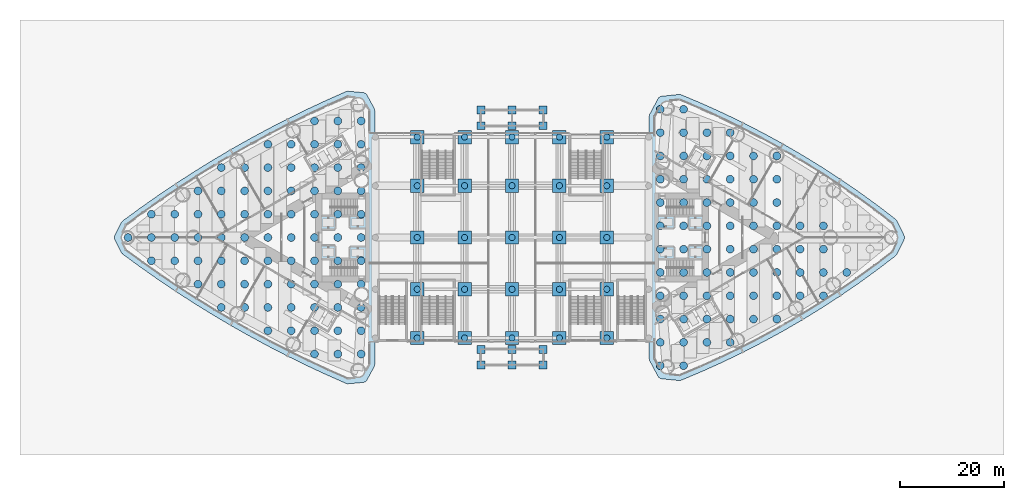
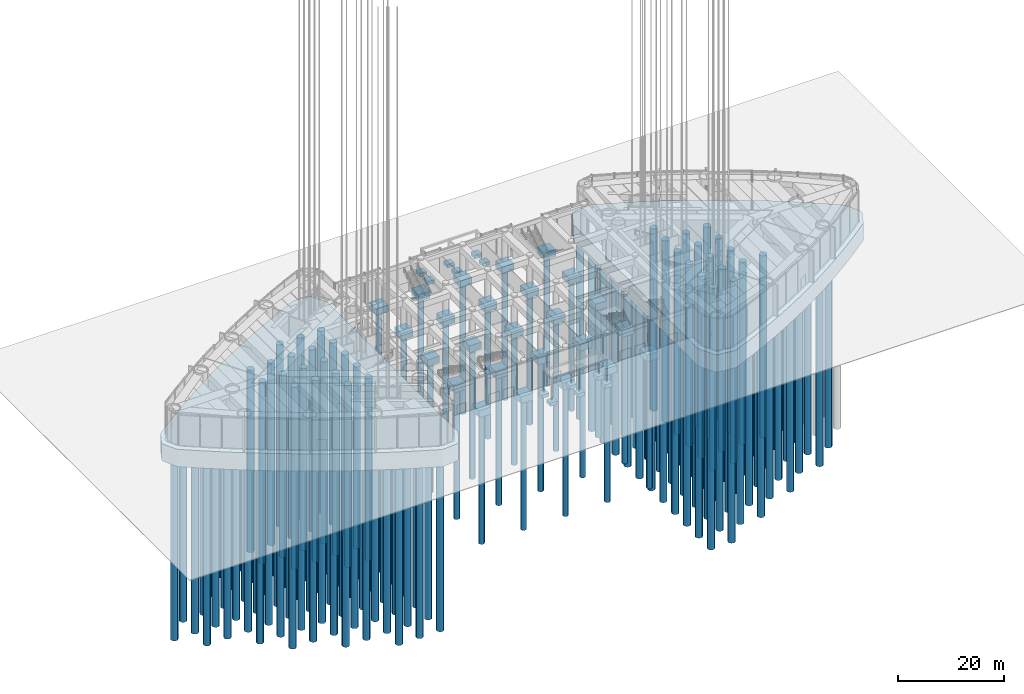
# One storey, part 1 of 43: 171 piles, 39 footings.
"""IFC4 building model written with IfcOpenShell, lengths in metres."""

from ifc_helpers import new_model, si_unit, direction, frame, origin, origin_2d, place, context, subcontext, project, spatial, polyline, rectangle, circle, outline, extrude, material, layer, layer_set, material_profile, profile_set, type_object, element, save


model = new_model("IFC4")

# Units and contexts
model_context = context("Model", 3, precision=1e-05, world=origin(), true_north=direction((0.0, 1.0)))
body_context = subcontext(model_context, "Body", "Model", "MODEL_VIEW")
ifc_project = project(units=[si_unit("LENGTHUNIT", "METRE"), si_unit("AREAUNIT", "SQUARE_METRE"), si_unit("VOLUMEUNIT", "CUBIC_METRE"), si_unit("PLANEANGLEUNIT", "RADIAN"), si_unit("MASSUNIT", "GRAM", prefix="KILO")], contexts=[model_context])

# Site, building, storey
site_placement = place(None, origin())
site = spatial("IfcSite", under=ifc_project, at=site_placement, CompositionType="ELEMENT")
building_placement = place(site_placement, origin())
building = spatial("IfcBuilding", under=site, at=building_placement, Name="Lancet Gate Hotel", CompositionType="ELEMENT")
storey_placement = place(building_placement, origin())
storey = spatial("IfcBuildingStorey", under=building, at=storey_placement, Name="L00", CompositionType="ELEMENT", Elevation=0.0)

# Piles
ifc_material_1 = material(Name="Concrete C40/50", Category="concrete")
ifc_material_profile_1 = material_profile(ifc_material_1, circle(Radius=0.60009765625, at=origin_2d()), Name="PILE D1200")
ifc_profile_set_1 = profile_set([ifc_material_profile_1], Name="Concrete C40/50")
pile_type_1 = type_object("IfcPileType", Name="Bored pile D1200", PredefinedType="BORED", material=ifc_profile_set_1)
for number, where, z_axis, x_axis, name in (
    (1, (-18.300048828125, -19.39990234375, -1.85009765625), (0.0, 0.0, -1.0), (1.0, 0.0, 0.0), "Podium pile 2A"),
    (2, (-18.300048828125, -10.0, -1.85009765625), (0.0, 0.0, -1.0), (1.0, 0.0, 0.0), "Podium pile 2B"),
    (3, (-18.300048828125, 0.0, -1.85009765625), (0.0, 0.0, -1.0), (1.0, 0.0, 0.0), "Podium pile 2C"),
    (4, (-18.300048828125, 10.0, -1.85009765625), (0.0, 0.0, -1.0), (1.0, 0.0, 0.0), "Podium pile 2D"),
    (5, (-18.300048828125, 19.39990234375, -1.85009765625), (0.0, 0.0, -1.0), (1.0, 0.0, 0.0), "Podium pile 2E"),
    (6, (-9.14990234375, -19.39990234375, -1.85009765625), (0.0, 0.0, -1.0), (1.0, 0.0, 0.0), "Podium pile 3A"),
    (7, (-9.14990234375, -10.0, -1.85009765625), (0.0, 0.0, -1.0), (1.0, 0.0, 0.0), "Podium pile 3B"),
    (8, (-9.14990234375, 0.0, -1.85009765625), (0.0, 0.0, -1.0), (1.0, 0.0, 0.0), "Podium pile 3C"),
    (9, (-9.14990234375, 10.0, -1.85009765625), (0.0, 0.0, -1.0), (1.0, 0.0, 0.0), "Podium pile 3D"),
    (10, (-9.14990234375, 19.39990234375, -1.85009765625), (0.0, 0.0, -1.0), (1.0, 0.0, 0.0), "Podium pile 3E"),
    (11, (0.0, -19.39990234375, -1.85009765625), (0.0, 0.0, -1.0), (1.0, 0.0, 0.0), "Podium pile 4A"),
    (12, (0.0, -10.0, -1.85009765625), (0.0, 0.0, -1.0), (1.0, 0.0, 0.0), "Podium pile 4B"),
    (13, (0.0, 0.0, -1.85009765625), (0.0, 0.0, -1.0), (1.0, 0.0, 0.0), "Podium pile 4C"),
    (14, (0.0, 10.0, -1.85009765625), (0.0, 0.0, -1.0), (1.0, 0.0, 0.0), "Podium pile 4D"),
    (15, (0.0, 19.39990234375, -1.85009765625), (0.0, 0.0, -1.0), (1.0, 0.0, 0.0), "Podium pile 4E"),
    (16, (9.14990234375, -19.39990234375, -1.85009765625), (0.0, 0.0, -1.0), (1.0, 0.0, 0.0), "Podium pile 5A"),
    (17, (9.14990234375, -10.0, -1.85009765625), (0.0, 0.0, -1.0), (1.0, 0.0, 0.0), "Podium pile 5B"),
    (18, (9.14990234375, 0.0, -1.85009765625), (0.0, 0.0, -1.0), (1.0, 0.0, 0.0), "Podium pile 5C"),
    (19, (9.14990234375, 10.0, -1.85009765625), (0.0, 0.0, -1.0), (1.0, 0.0, 0.0), "Podium pile 5D"),
    (20, (9.14990234375, 19.39990234375, -1.85009765625), (0.0, 0.0, -1.0), (1.0, 0.0, 0.0), "Podium pile 5E"),
    (21, (18.300048828125, -19.39990234375, -1.85009765625), (0.0, 0.0, -1.0), (1.0, 0.0, 0.0), "Podium pile 6A"),
    (22, (18.300048828125, -10.0, -1.85009765625), (0.0, 0.0, -1.0), (1.0, 0.0, 0.0), "Podium pile 6B"),
    (23, (18.300048828125, 0.0, -1.85009765625), (0.0, 0.0, -1.0), (1.0, 0.0, 0.0), "Podium pile 6C"),
    (24, (18.300048828125, 10.0, -1.85009765625), (0.0, 0.0, -1.0), (1.0, 0.0, 0.0), "Podium pile 6D"),
    (25, (18.300048828125, 19.39990234375, -1.85009765625), (0.0, 0.0, -1.0), (1.0, 0.0, 0.0), "Podium pile 6E"),
):
    element("IfcPile", number, at=place(storey_placement, frame(where, z_axis=z_axis, x_axis=x_axis)), inside=storey, type_object=pile_type_1, Name=name, PredefinedType="BORED", context=body_context, shape_type="SweptSolid", body=[
        extrude(circle(Radius=0.60009765625, at=origin_2d()), origin(), (0.0, 0.0, 1.0), 30.0),
    ])
ifc_material_2 = material(Name="Concrete C40/50", Category="concrete")
ifc_material_profile_2 = material_profile(ifc_material_2, circle(Radius=0.75, at=origin_2d()), Name="PILE D1500")
ifc_profile_set_2 = profile_set([ifc_material_profile_2], Name="Concrete C40/50")
pile_type_2 = type_object("IfcPileType", Name="Bored pile D1500", PredefinedType="BORED", material=ifc_profile_set_2)
for number, where, z_axis, x_axis, name in (
    (26, (-29.130859375, 22.5, -4.25), (0.0, 0.0, -1.0), (1.0, 0.0, 0.0), "T1 pile 001"),
    (27, (-29.130859375, 18.0, -4.25), (0.0, 0.0, -1.0), (1.0, 0.0, 0.0), "T1 pile 002"),
    (28, (-29.130859375, 13.5, -4.25), (0.0, 0.0, -1.0), (1.0, 0.0, 0.0), "T1 pile 003"),
    (29, (-29.130859375, 9.0, -4.25), (0.0, 0.0, -1.0), (1.0, 0.0, 0.0), "T1 pile 004"),
    (30, (-29.130859375, 4.5, -4.25), (0.0, 0.0, -1.0), (1.0, 0.0, 0.0), "T1 pile 005"),
    (31, (-29.130859375, 0.0, -4.25), (0.0, 0.0, -1.0), (1.0, 0.0, 0.0), "T1 pile 006"),
    (32, (-29.130859375, -4.5, -4.25), (0.0, 0.0, -1.0), (1.0, 0.0, 0.0), "T1 pile 007"),
    (33, (-29.130859375, -9.0, -4.25), (0.0, 0.0, -1.0), (1.0, 0.0, 0.0), "T1 pile 008"),
    (34, (-29.130859375, -13.5, -4.25), (0.0, 0.0, -1.0), (1.0, 0.0, 0.0), "T1 pile 009"),
    (35, (-29.130859375, -18.0, -4.25), (0.0, 0.0, -1.0), (1.0, 0.0, 0.0), "T1 pile 010"),
    (36, (-29.130859375, -22.5, -4.25), (0.0, 0.0, -1.0), (1.0, 0.0, 0.0), "T1 pile 011"),
    (37, (-33.630859375, 22.5, -4.25), (0.0, 0.0, -1.0), (1.0, 0.0, 0.0), "T1 pile 012"),
    (38, (-33.630859375, 18.0, -4.25), (0.0, 0.0, -1.0), (1.0, 0.0, 0.0), "T1 pile 013"),
    (39, (-33.630859375, 13.5, -4.25), (0.0, 0.0, -1.0), (1.0, 0.0, 0.0), "T1 pile 014"),
    (40, (-33.630859375, 9.0, -4.25), (0.0, 0.0, -1.0), (1.0, 0.0, 0.0), "T1 pile 015"),
    (41, (-33.630859375, 4.5, -4.25), (0.0, 0.0, -1.0), (1.0, 0.0, 0.0), "T1 pile 016"),
    (42, (-33.630859375, 0.0, -4.25), (0.0, 0.0, -1.0), (1.0, 0.0, 0.0), "T1 pile 017"),
    (43, (-33.630859375, -4.5, -4.25), (0.0, 0.0, -1.0), (1.0, 0.0, 0.0), "T1 pile 018"),
    (44, (-33.630859375, -9.0, -4.25), (0.0, 0.0, -1.0), (1.0, 0.0, 0.0), "T1 pile 019"),
    (45, (-33.630859375, -13.5, -4.25), (0.0, 0.0, -1.0), (1.0, 0.0, 0.0), "T1 pile 020"),
    (46, (-33.630859375, -18.0, -4.25), (0.0, 0.0, -1.0), (1.0, 0.0, 0.0), "T1 pile 021"),
    (47, (-33.630859375, -22.5, -4.25), (0.0, 0.0, -1.0), (1.0, 0.0, 0.0), "T1 pile 022"),
    (48, (-38.130859375, 22.5, -4.25), (0.0, 0.0, -1.0), (1.0, 0.0, 0.0), "T1 pile 023"),
    (49, (-38.130859375, 18.0, -4.25), (0.0, 0.0, -1.0), (1.0, 0.0, 0.0), "T1 pile 024"),
    (50, (-38.130859375, 13.5, -4.25), (0.0, 0.0, -1.0), (1.0, 0.0, 0.0), "T1 pile 025"),
    (51, (-38.130859375, 9.0, -4.25), (0.0, 0.0, -1.0), (1.0, 0.0, 0.0), "T1 pile 026"),
    (52, (-38.130859375, 4.5, -4.25), (0.0, 0.0, -1.0), (1.0, 0.0, 0.0), "T1 pile 027"),
    (53, (-38.130859375, 0.0, -4.25), (0.0, 0.0, -1.0), (1.0, 0.0, 0.0), "T1 pile 028"),
    (54, (-38.130859375, -4.5, -4.25), (0.0, 0.0, -1.0), (1.0, 0.0, 0.0), "T1 pile 029"),
    (55, (-38.130859375, -9.0, -4.25), (0.0, 0.0, -1.0), (1.0, 0.0, 0.0), "T1 pile 030"),
    (56, (-38.130859375, -13.5, -4.25), (0.0, 0.0, -1.0), (1.0, 0.0, 0.0), "T1 pile 031"),
    (57, (-38.130859375, -18.0, -4.25), (0.0, 0.0, -1.0), (1.0, 0.0, 0.0), "T1 pile 032"),
    (58, (-38.130859375, -22.5, -4.25), (0.0, 0.0, -1.0), (1.0, 0.0, 0.0), "T1 pile 033"),
    (59, (-42.630859375, 18.0, -4.25), (0.0, 0.0, -1.0), (1.0, 0.0, 0.0), "T1 pile 034"),
    (60, (-42.630859375, 13.5, -4.25), (0.0, 0.0, -1.0), (1.0, 0.0, 0.0), "T1 pile 035"),
    (61, (-42.630859375, 9.0, -4.25), (0.0, 0.0, -1.0), (1.0, 0.0, 0.0), "T1 pile 036"),
    (62, (-42.630859375, 4.5, -4.25), (0.0, 0.0, -1.0), (1.0, 0.0, 0.0), "T1 pile 037"),
    (63, (-42.630859375, 0.0, -4.25), (0.0, 0.0, -1.0), (1.0, 0.0, 0.0), "T1 pile 038"),
    (64, (-42.630859375, -4.5, -4.25), (0.0, 0.0, -1.0), (1.0, 0.0, 0.0), "T1 pile 039"),
    (65, (-42.630859375, -9.0, -4.25), (0.0, 0.0, -1.0), (1.0, 0.0, 0.0), "T1 pile 040"),
    (66, (-42.630859375, -13.5, -4.25), (0.0, 0.0, -1.0), (1.0, 0.0, 0.0), "T1 pile 041"),
    (67, (-42.630859375, -18.0, -4.25), (0.0, 0.0, -1.0), (1.0, 0.0, 0.0), "T1 pile 042"),
    (68, (-47.130859375, 18.0, -4.25), (0.0, 0.0, -1.0), (1.0, 0.0, 0.0), "T1 pile 043"),
    (69, (-47.130859375, 13.5, -4.25), (0.0, 0.0, -1.0), (1.0, 0.0, 0.0), "T1 pile 044"),
    (70, (-47.130859375, 9.0, -4.25), (0.0, 0.0, -1.0), (1.0, 0.0, 0.0), "T1 pile 045"),
    (71, (-47.130859375, 4.5, -4.25), (0.0, 0.0, -1.0), (1.0, 0.0, 0.0), "T1 pile 046"),
    (72, (-47.130859375, 0.0, -4.25), (0.0, 0.0, -1.0), (1.0, 0.0, 0.0), "T1 pile 047"),
    (73, (-47.130859375, -4.5, -4.25), (0.0, 0.0, -1.0), (1.0, 0.0, 0.0), "T1 pile 048"),
    (74, (-47.130859375, -9.0, -4.25), (0.0, 0.0, -1.0), (1.0, 0.0, 0.0), "T1 pile 049"),
    (75, (-47.130859375, -13.5, -4.25), (0.0, 0.0, -1.0), (1.0, 0.0, 0.0), "T1 pile 050"),
    (76, (-47.130859375, -18.0, -4.25), (0.0, 0.0, -1.0), (1.0, 0.0, 0.0), "T1 pile 051"),
    (77, (-51.630859375, 13.5, -4.25), (0.0, 0.0, -1.0), (1.0, 0.0, 0.0), "T1 pile 052"),
    (78, (-51.630859375, 9.0, -4.25), (0.0, 0.0, -1.0), (1.0, 0.0, 0.0), "T1 pile 053"),
    (79, (-51.630859375, 4.5, -4.25), (0.0, 0.0, -1.0), (1.0, 0.0, 0.0), "T1 pile 054"),
    (80, (-51.630859375, 0.0, -4.25), (0.0, 0.0, -1.0), (1.0, 0.0, 0.0), "T1 pile 055"),
    (81, (-51.630859375, -4.5, -4.25), (0.0, 0.0, -1.0), (1.0, 0.0, 0.0), "T1 pile 056"),
    (82, (-51.630859375, -9.0, -4.25), (0.0, 0.0, -1.0), (1.0, 0.0, 0.0), "T1 pile 057"),
    (83, (-51.630859375, -13.5, -4.25), (0.0, 0.0, -1.0), (1.0, 0.0, 0.0), "T1 pile 058"),
    (84, (-56.130859375, 13.5, -4.25), (0.0, 0.0, -1.0), (1.0, 0.0, 0.0), "T1 pile 059"),
    (85, (-56.130859375, 9.0, -4.25), (0.0, 0.0, -1.0), (1.0, 0.0, 0.0), "T1 pile 060"),
    (86, (-56.130859375, 4.5, -4.25), (0.0, 0.0, -1.0), (1.0, 0.0, 0.0), "T1 pile 061"),
    (87, (-56.130859375, 0.0, -4.25), (0.0, 0.0, -1.0), (1.0, 0.0, 0.0), "T1 pile 062"),
    (88, (-56.130859375, -4.5, -4.25), (0.0, 0.0, -1.0), (1.0, 0.0, 0.0), "T1 pile 063"),
    (89, (-56.130859375, -9.0, -4.25), (0.0, 0.0, -1.0), (1.0, 0.0, 0.0), "T1 pile 064"),
    (90, (-56.130859375, -13.5, -4.25), (0.0, 0.0, -1.0), (1.0, 0.0, 0.0), "T1 pile 065"),
    (91, (-60.630859375, 9.0, -4.25), (0.0, 0.0, -1.0), (1.0, 0.0, 0.0), "T1 pile 066"),
    (92, (-60.630859375, 4.5, -4.25), (0.0, 0.0, -1.0), (1.0, 0.0, 0.0), "T1 pile 067"),
    (93, (-60.630859375, 0.0, -4.25), (0.0, 0.0, -1.0), (1.0, 0.0, 0.0), "T1 pile 068"),
    (94, (-60.630859375, -4.5, -4.25), (0.0, 0.0, -1.0), (1.0, 0.0, 0.0), "T1 pile 069"),
    (95, (-60.630859375, -9.0, -4.25), (0.0, 0.0, -1.0), (1.0, 0.0, 0.0), "T1 pile 070"),
    (96, (-65.130859375, 4.5, -4.25), (0.0, 0.0, -1.0), (1.0, 0.0, 0.0), "T1 pile 071"),
    (97, (-65.130859375, 0.0, -4.25), (0.0, 0.0, -1.0), (1.0, 0.0, 0.0), "T1 pile 072"),
    (98, (-65.130859375, -4.5, -4.25), (0.0, 0.0, -1.0), (1.0, 0.0, 0.0), "T1 pile 073"),
    (99, (-69.630859375, 4.5, -4.25), (0.0, 0.0, -1.0), (1.0, 0.0, 0.0), "T1 pile 074"),
    (100, (-69.630859375, 0.0, -4.25), (0.0, 0.0, -1.0), (1.0, 0.0, 0.0), "T1 pile 075"),
    (101, (-69.630859375, -4.5, -4.25), (0.0, 0.0, -1.0), (1.0, 0.0, 0.0), "T1 pile 076"),
    (102, (-74.130859375, 0.0, -4.25), (0.0, 0.0, -1.0), (1.0, 0.0, 0.0), "T1 pile 077"),
    (103, (28.63330078125, -24.75, -4.25), (0.0, 0.0, -1.0), (1.0, 0.0, 0.0), "T2 pile 001"),
    (104, (28.63330078125, -20.25, -4.25), (0.0, 0.0, -1.0), (1.0, 0.0, 0.0), "T2 pile 002"),
    (105, (28.63330078125, -15.75, -4.25), (0.0, 0.0, -1.0), (1.0, 0.0, 0.0), "T2 pile 003"),
    (106, (28.63330078125, -11.25, -4.25), (0.0, 0.0, -1.0), (1.0, 0.0, 0.0), "T2 pile 004"),
    (107, (28.63330078125, -6.75, -4.25), (0.0, 0.0, -1.0), (1.0, 0.0, 0.0), "T2 pile 005"),
    (108, (28.63330078125, -2.25, -4.25), (0.0, 0.0, -1.0), (1.0, 0.0, 0.0), "T2 pile 006"),
    (109, (28.63330078125, 2.25, -4.25), (0.0, 0.0, -1.0), (1.0, 0.0, 0.0), "T2 pile 007"),
    (110, (28.63330078125, 6.75, -4.25), (0.0, 0.0, -1.0), (1.0, 0.0, 0.0), "T2 pile 008"),
    (111, (28.63330078125, 11.25, -4.25), (0.0, 0.0, -1.0), (1.0, 0.0, 0.0), "T2 pile 009"),
    (112, (28.63330078125, 15.75, -4.25), (0.0, 0.0, -1.0), (1.0, 0.0, 0.0), "T2 pile 010"),
    (113, (28.63330078125, 20.25, -4.25), (0.0, 0.0, -1.0), (1.0, 0.0, 0.0), "T2 pile 011"),
    (114, (28.63330078125, 24.75, -4.25), (0.0, 0.0, -1.0), (1.0, 0.0, 0.0), "T2 pile 012"),
    (115, (33.13330078125, -24.75, -4.25), (0.0, 0.0, -1.0), (1.0, 0.0, 0.0), "T2 pile 013"),
    (116, (33.13330078125, -20.25, -4.25), (0.0, 0.0, -1.0), (1.0, 0.0, 0.0), "T2 pile 014"),
    (117, (33.13330078125, -15.75, -4.25), (0.0, 0.0, -1.0), (1.0, 0.0, 0.0), "T2 pile 015"),
    (118, (33.13330078125, -11.25, -4.25), (0.0, 0.0, -1.0), (1.0, 0.0, 0.0), "T2 pile 016"),
    (119, (33.13330078125, -6.75, -4.25), (0.0, 0.0, -1.0), (1.0, 0.0, 0.0), "T2 pile 017"),
    (120, (33.13330078125, -2.25, -4.25), (0.0, 0.0, -1.0), (1.0, 0.0, 0.0), "T2 pile 018"),
    (121, (33.13330078125, 2.25, -4.25), (0.0, 0.0, -1.0), (1.0, 0.0, 0.0), "T2 pile 019"),
    (122, (33.13330078125, 6.75, -4.25), (0.0, 0.0, -1.0), (1.0, 0.0, 0.0), "T2 pile 020"),
    (123, (33.13330078125, 11.25, -4.25), (0.0, 0.0, -1.0), (1.0, 0.0, 0.0), "T2 pile 021"),
    (124, (33.13330078125, 15.75, -4.25), (0.0, 0.0, -1.0), (1.0, 0.0, 0.0), "T2 pile 022"),
    (125, (33.13330078125, 20.25, -4.25), (0.0, 0.0, -1.0), (1.0, 0.0, 0.0), "T2 pile 023"),
    (126, (33.13330078125, 24.75, -4.25), (0.0, 0.0, -1.0), (1.0, 0.0, 0.0), "T2 pile 024"),
    (127, (37.63330078125, -20.25, -4.25), (0.0, 0.0, -1.0), (1.0, 0.0, 0.0), "T2 pile 025"),
    (128, (37.63330078125, -15.75, -4.25), (0.0, 0.0, -1.0), (1.0, 0.0, 0.0), "T2 pile 026"),
    (129, (37.63330078125, -11.25, -4.25), (0.0, 0.0, -1.0), (1.0, 0.0, 0.0), "T2 pile 027"),
    (130, (37.63330078125, -6.75, -4.25), (0.0, 0.0, -1.0), (1.0, 0.0, 0.0), "T2 pile 028"),
    (131, (37.63330078125, -2.25, -4.25), (0.0, 0.0, -1.0), (1.0, 0.0, 0.0), "T2 pile 029"),
    (132, (37.63330078125, 2.25, -4.25), (0.0, 0.0, -1.0), (1.0, 0.0, 0.0), "T2 pile 030"),
    (133, (37.63330078125, 6.75, -4.25), (0.0, 0.0, -1.0), (1.0, 0.0, 0.0), "T2 pile 031"),
    (134, (37.63330078125, 11.25, -4.25), (0.0, 0.0, -1.0), (1.0, 0.0, 0.0), "T2 pile 032"),
    (135, (37.63330078125, 15.75, -4.25), (0.0, 0.0, -1.0), (1.0, 0.0, 0.0), "T2 pile 033"),
    (136, (37.63330078125, 20.25, -4.25), (0.0, 0.0, -1.0), (1.0, 0.0, 0.0), "T2 pile 034"),
    (137, (42.13330078125, -20.25, -4.25), (0.0, 0.0, -1.0), (1.0, 0.0, 0.0), "T2 pile 035"),
    (138, (42.13330078125, -15.75, -4.25), (0.0, 0.0, -1.0), (1.0, 0.0, 0.0), "T2 pile 036"),
    (139, (42.13330078125, -11.25, -4.25), (0.0, 0.0, -1.0), (1.0, 0.0, 0.0), "T2 pile 037"),
    (140, (42.13330078125, -6.75, -4.25), (0.0, 0.0, -1.0), (1.0, 0.0, 0.0), "T2 pile 038"),
    (141, (42.13330078125, -2.25, -4.25), (0.0, 0.0, -1.0), (1.0, 0.0, 0.0), "T2 pile 039"),
    (142, (42.13330078125, 2.25, -4.25), (0.0, 0.0, -1.0), (1.0, 0.0, 0.0), "T2 pile 040"),
    (143, (42.13330078125, 6.75, -4.25), (0.0, 0.0, -1.0), (1.0, 0.0, 0.0), "T2 pile 041"),
    (144, (42.13330078125, 11.25, -4.25), (0.0, 0.0, -1.0), (1.0, 0.0, 0.0), "T2 pile 042"),
    (145, (42.13330078125, 15.75, -4.25), (0.0, 0.0, -1.0), (1.0, 0.0, 0.0), "T2 pile 043"),
    (146, (42.13330078125, 20.25, -4.25), (0.0, 0.0, -1.0), (1.0, 0.0, 0.0), "T2 pile 044"),
    (147, (46.63330078125, -15.75, -4.25), (0.0, 0.0, -1.0), (1.0, 0.0, 0.0), "T2 pile 045"),
    (148, (46.63330078125, -11.25, -4.25), (0.0, 0.0, -1.0), (1.0, 0.0, 0.0), "T2 pile 046"),
    (149, (46.63330078125, -6.75, -4.25), (0.0, 0.0, -1.0), (1.0, 0.0, 0.0), "T2 pile 047"),
    (150, (46.63330078125, -2.25, -4.25), (0.0, 0.0, -1.0), (1.0, 0.0, 0.0), "T2 pile 048"),
    (151, (46.63330078125, 2.25, -4.25), (0.0, 0.0, -1.0), (1.0, 0.0, 0.0), "T2 pile 049"),
    (152, (46.63330078125, 6.75, -4.25), (0.0, 0.0, -1.0), (1.0, 0.0, 0.0), "T2 pile 050"),
    (153, (46.63330078125, 11.25, -4.25), (0.0, 0.0, -1.0), (1.0, 0.0, 0.0), "T2 pile 051"),
    (154, (46.63330078125, 15.75, -4.25), (0.0, 0.0, -1.0), (1.0, 0.0, 0.0), "T2 pile 052"),
    (155, (51.13330078125, -15.75, -4.25), (0.0, 0.0, -1.0), (1.0, 0.0, 0.0), "T2 pile 053"),
    (156, (51.13330078125, -11.25, -4.25), (0.0, 0.0, -1.0), (1.0, 0.0, 0.0), "T2 pile 054"),
    (157, (51.13330078125, -6.75, -4.25), (0.0, 0.0, -1.0), (1.0, 0.0, 0.0), "T2 pile 055"),
    (158, (51.13330078125, -2.25, -4.25), (0.0, 0.0, -1.0), (1.0, 0.0, 0.0), "T2 pile 056"),
    (159, (51.13330078125, 2.25, -4.25), (0.0, 0.0, -1.0), (1.0, 0.0, 0.0), "T2 pile 057"),
    (160, (51.13330078125, 6.75, -4.25), (0.0, 0.0, -1.0), (1.0, 0.0, 0.0), "T2 pile 058"),
    (161, (51.13330078125, 11.25, -4.25), (0.0, 0.0, -1.0), (1.0, 0.0, 0.0), "T2 pile 059"),
    (162, (51.13330078125, 15.75, -4.25), (0.0, 0.0, -1.0), (1.0, 0.0, 0.0), "T2 pile 060"),
    (163, (55.63330078125, -11.25, -4.25), (0.0, 0.0, -1.0), (1.0, 0.0, 0.0), "T2 pile 061"),
    (164, (55.63330078125, -6.75, -4.25), (0.0, 0.0, -1.0), (1.0, 0.0, 0.0), "T2 pile 062"),
    (165, (55.63330078125, -2.25, -4.25), (0.0, 0.0, -1.0), (1.0, 0.0, 0.0), "T2 pile 063"),
    (166, (55.63330078125, 2.25, -4.25), (0.0, 0.0, -1.0), (1.0, 0.0, 0.0), "T2 pile 064"),
    (167, (60.13330078125, -11.25, -4.25), (0.0, 0.0, -1.0), (1.0, 0.0, 0.0), "T2 pile 067"),
    (168, (60.13330078125, -6.75, -4.25), (0.0, 0.0, -1.0), (1.0, 0.0, 0.0), "T2 pile 068"),
    (169, (60.13330078125, -2.25, -4.25), (0.0, 0.0, -1.0), (1.0, 0.0, 0.0), "T2 pile 069"),
    (170, (60.13330078125, 2.25, -4.25), (0.0, 0.0, -1.0), (1.0, 0.0, 0.0), "T2 pile 070"),
    (171, (64.63330078125, -6.75, -4.25), (0.0, 0.0, -1.0), (1.0, 0.0, 0.0), "T2 pile 073"),
):
    element("IfcPile", number, at=place(storey_placement, frame(where, z_axis=z_axis, x_axis=x_axis)), inside=storey, type_object=pile_type_2, Name=name, PredefinedType="BORED", context=body_context, shape_type="SweptSolid", body=[
        extrude(circle(Radius=0.75, at=origin_2d()), origin(), (0.0, 0.0, 1.0), 42.0),
    ])

# Footings
ifc_material_3 = material(Name="Concrete C40/50", Category="concrete")
footing_type_1 = type_object("IfcFootingType", Name="Pad footing 1500", PredefinedType="PAD_FOOTING", material=ifc_material_3)
for number, where, z_axis, x_axis, name in (
    (172, (-6.0, 21.60009765625, -0.9501953125), (0.0, 0.0, 1.0), (1.0, 0.0, 0.0), "Canopy pad footing N1A"),
    (173, (-6.0, 24.60009765625, -0.9501953125), (0.0, 0.0, 1.0), (1.0, 0.0, 0.0), "Canopy pad footing N1B"),
    (174, (0.0, 21.60009765625, -0.9501953125), (0.0, 0.0, 1.0), (1.0, 0.0, 0.0), "Canopy pad footing N2A"),
    (175, (0.0, 24.60009765625, -0.9501953125), (0.0, 0.0, 1.0), (1.0, 0.0, 0.0), "Canopy pad footing N2B"),
    (176, (6.0, 21.60009765625, -0.9501953125), (0.0, 0.0, 1.0), (1.0, 0.0, 0.0), "Canopy pad footing N3A"),
    (177, (6.0, 24.60009765625, -0.9501953125), (0.0, 0.0, 1.0), (1.0, 0.0, 0.0), "Canopy pad footing N3B"),
    (178, (-6.0, -21.60009765625, -0.9501953125), (0.0, 0.0, 1.0), (1.0, 0.0, 0.0), "Canopy pad footing S1A"),
    (179, (-6.0, -24.60009765625, -0.9501953125), (0.0, 0.0, 1.0), (1.0, 0.0, 0.0), "Canopy pad footing S1B"),
    (180, (0.0, -21.60009765625, -0.9501953125), (0.0, 0.0, 1.0), (1.0, 0.0, 0.0), "Canopy pad footing S2A"),
    (181, (0.0, -24.60009765625, -0.9501953125), (0.0, 0.0, 1.0), (1.0, 0.0, 0.0), "Canopy pad footing S2B"),
    (182, (6.0, -21.60009765625, -0.9501953125), (0.0, 0.0, 1.0), (1.0, 0.0, 0.0), "Canopy pad footing S3A"),
    (183, (6.0, -24.60009765625, -0.9501953125), (0.0, 0.0, 1.0), (1.0, 0.0, 0.0), "Canopy pad footing S3B"),
):
    element("IfcFooting", number, at=place(storey_placement, frame(where, z_axis=z_axis, x_axis=x_axis)), inside=storey, type_object=footing_type_1, Name=name, PredefinedType="PAD_FOOTING", context=body_context, shape_type="SweptSolid", body=[
        extrude(rectangle(XDim=1.5, YDim=1.5, at=origin_2d()), origin(), (0.0, 0.0, 1.0), 0.800048828125),
    ])
ifc_material_4 = material(Name="Concrete C50/60", Category="concrete")
footing_type_2 = type_object("IfcFootingType", Name="Pile cap 2600", PredefinedType="PILE_CAP", material=ifc_material_4)
for number, where, z_axis, x_axis, name in (
    (184, (-18.300048828125, -19.39990234375, -1.85009765625), (0.0, 0.0, 1.0), (1.0, 0.0, 0.0), "Podium pile cap 2A"),
    (185, (-18.300048828125, -10.0, -1.85009765625), (0.0, 0.0, 1.0), (1.0, 0.0, 0.0), "Podium pile cap 2B"),
    (186, (-18.300048828125, 0.0, -1.85009765625), (0.0, 0.0, 1.0), (1.0, 0.0, 0.0), "Podium pile cap 2C"),
    (187, (-18.300048828125, 10.0, -1.85009765625), (0.0, 0.0, 1.0), (1.0, 0.0, 0.0), "Podium pile cap 2D"),
    (188, (-18.300048828125, 19.39990234375, -1.85009765625), (0.0, 0.0, 1.0), (1.0, 0.0, 0.0), "Podium pile cap 2E"),
    (189, (-9.14990234375, -19.39990234375, -1.85009765625), (0.0, 0.0, 1.0), (1.0, 0.0, 0.0), "Podium pile cap 3A"),
    (190, (-9.14990234375, -10.0, -1.85009765625), (0.0, 0.0, 1.0), (1.0, 0.0, 0.0), "Podium pile cap 3B"),
    (191, (-9.14990234375, 0.0, -1.85009765625), (0.0, 0.0, 1.0), (1.0, 0.0, 0.0), "Podium pile cap 3C"),
    (192, (-9.14990234375, 10.0, -1.85009765625), (0.0, 0.0, 1.0), (1.0, 0.0, 0.0), "Podium pile cap 3D"),
    (193, (-9.14990234375, 19.39990234375, -1.85009765625), (0.0, 0.0, 1.0), (1.0, 0.0, 0.0), "Podium pile cap 3E"),
    (194, (0.0, -19.39990234375, -1.85009765625), (0.0, 0.0, 1.0), (1.0, 0.0, 0.0), "Podium pile cap 4A"),
    (195, (0.0, -10.0, -1.85009765625), (0.0, 0.0, 1.0), (1.0, 0.0, 0.0), "Podium pile cap 4B"),
    (196, (0.0, 0.0, -1.85009765625), (0.0, 0.0, 1.0), (1.0, 0.0, 0.0), "Podium pile cap 4C"),
    (197, (0.0, 10.0, -1.85009765625), (0.0, 0.0, 1.0), (1.0, 0.0, 0.0), "Podium pile cap 4D"),
    (198, (0.0, 19.39990234375, -1.85009765625), (0.0, 0.0, 1.0), (1.0, 0.0, 0.0), "Podium pile cap 4E"),
    (199, (9.14990234375, -19.39990234375, -1.85009765625), (0.0, 0.0, 1.0), (1.0, 0.0, 0.0), "Podium pile cap 5A"),
    (200, (9.14990234375, -10.0, -1.85009765625), (0.0, 0.0, 1.0), (1.0, 0.0, 0.0), "Podium pile cap 5B"),
    (201, (9.14990234375, 0.0, -1.85009765625), (0.0, 0.0, 1.0), (1.0, 0.0, 0.0), "Podium pile cap 5C"),
    (202, (9.14990234375, 10.0, -1.85009765625), (0.0, 0.0, 1.0), (1.0, 0.0, 0.0), "Podium pile cap 5D"),
    (203, (9.14990234375, 19.39990234375, -1.85009765625), (0.0, 0.0, 1.0), (1.0, 0.0, 0.0), "Podium pile cap 5E"),
    (204, (18.300048828125, -19.39990234375, -1.85009765625), (0.0, 0.0, 1.0), (1.0, 0.0, 0.0), "Podium pile cap 6A"),
    (205, (18.300048828125, -10.0, -1.85009765625), (0.0, 0.0, 1.0), (1.0, 0.0, 0.0), "Podium pile cap 6B"),
    (206, (18.300048828125, 0.0, -1.85009765625), (0.0, 0.0, 1.0), (1.0, 0.0, 0.0), "Podium pile cap 6C"),
    (207, (18.300048828125, 10.0, -1.85009765625), (0.0, 0.0, 1.0), (1.0, 0.0, 0.0), "Podium pile cap 6D"),
    (208, (18.300048828125, 19.39990234375, -1.85009765625), (0.0, 0.0, 1.0), (1.0, 0.0, 0.0), "Podium pile cap 6E"),
):
    element("IfcFooting", number, at=place(storey_placement, frame(where, z_axis=z_axis, x_axis=x_axis)), inside=storey, type_object=footing_type_2, Name=name, PredefinedType="PILE_CAP", context=body_context, shape_type="SweptSolid", body=[
        extrude(rectangle(XDim=2.60009765625, YDim=2.60009765625, at=origin_2d()), origin(), (0.0, 0.0, 1.0), 1.60009765625),
    ])
ifc_material_5 = material(Name="Concrete C50/60", Category="concrete")
ifc_layer = layer(ifc_material_5, 4.0)
ifc_layer_set = layer_set([ifc_layer], Name="Piled raft 4000")
footing_type_3 = type_object("IfcFootingType", Name="Piled raft 4000", PredefinedType="PILE_CAP", material=ifc_layer_set)
footing_1_placement = place(storey_placement, frame((0.0, 0.0, -4.25)))
element("IfcFooting", 209, at=footing_1_placement, inside=storey, type_object=footing_type_3, Name="T1 piled raft", PredefinedType="PILE_CAP", context=body_context, shape_type="SweptSolid", body=[
    extrude(outline(polyline([(-26.5048828125, 24.58984375), (-26.51953125, 24.687744140625), (-26.543701171875, 24.78369140625), (-26.5771484375, 24.87646484375), (-26.619873046875, 24.9658203125), (-27.971435546875, 27.472412109375), (-28.022705078125, 27.556884765625), (-28.081787109375, 27.63623046875), (-28.148681640625, 27.708984375), (-28.222412109375, 27.77490234375), (-28.30224609375, 27.833251953125), (-28.387451171875, 27.883544921875), (-28.47705078125, 27.925048828125), (-28.570556640625, 27.95751953125), (-28.666748046875, 27.98046875), (-28.7646484375, 27.993896484375), (-31.6015625, 28.241943359375), (-31.702392578125, 28.24560546875), (-31.802978515625, 28.239013671875), (-31.90234375, 28.22265625), (-31.999755859375, 28.196044921875), (-32.09375, 28.159912109375), (-35.87890625, 26.482421875), (-35.896728515625, 26.47412109375), (-39.6484375, 24.72265625), (-39.666015625, 24.71435546875), (-43.382568359375, 22.8896484375), (-43.400146484375, 22.880859375), (-47.080078125, 20.983642578125), (-47.097412109375, 20.974609375), (-50.73974609375, 19.005615234375), (-50.7568359375, 18.996337890625), (-54.359619140625, 16.956298828125), (-54.376708984375, 16.946533203125), (-57.93896484375, 14.83642578125), (-57.95556640625, 14.826416015625), (-61.475830078125, 12.646728515625), (-61.492431640625, 12.63623046875), (-64.96923828125, 10.38818359375), (-64.985595703125, 10.37744140625), (-68.41748046875, 8.061767578125), (-68.43359375, 8.050537109375), (-71.81982421875, 5.66796875), (-71.835693359375, 5.656494140625), (-75.17431640625, 3.2080078125), (-75.248046875, 3.1484375), (-75.315673828125, 3.082275390625), (-75.376708984375, 3.009765625), (-75.4306640625, 2.931884765625), (-75.47705078125, 2.849365234375), (-76.679443359375, 0.447509765625), (-76.720703125, 0.353271484375), (-76.752197265625, 0.2548828125), (-76.773193359375, 0.154052734375), (-76.783935546875, 0.051513671875), (-76.783935546875, -0.051513671875), (-76.773193359375, -0.154052734375), (-76.752197265625, -0.2548828125), (-76.720703125, -0.353271484375), (-76.679443359375, -0.447509765625), (-75.47705078125, -2.849365234375), (-75.4306640625, -2.931884765625), (-75.376708984375, -3.009765625), (-75.315673828125, -3.082275390625), (-75.248046875, -3.1484375), (-75.17431640625, -3.2080078125), (-71.835693359375, -5.656494140625), (-71.81982421875, -5.66796875), (-68.43359375, -8.050537109375), (-68.41748046875, -8.061767578125), (-64.985595703125, -10.37744140625), (-64.96923828125, -10.38818359375), (-61.492431640625, -12.63623046875), (-61.475830078125, -12.646728515625), (-57.95556640625, -14.826416015625), (-57.93896484375, -14.83642578125), (-54.376708984375, -16.946533203125), (-54.359619140625, -16.956298828125), (-50.7568359375, -18.996337890625), (-50.73974609375, -19.005615234375), (-47.097412109375, -20.974609375), (-47.080078125, -20.983642578125), (-43.400146484375, -22.880859375), (-43.382568359375, -22.8896484375), (-39.666015625, -24.71435546875), (-39.6484375, -24.72265625), (-35.896728515625, -26.47412109375), (-35.87890625, -26.482421875), (-32.09375, -28.159912109375), (-31.999755859375, -28.196044921875), (-31.90234375, -28.22265625), (-31.802978515625, -28.239013671875), (-31.702392578125, -28.24560546875), (-31.6015625, -28.241943359375), (-28.7646484375, -27.993896484375), (-28.666748046875, -27.98046875), (-28.570556640625, -27.95751953125), (-28.47705078125, -27.925048828125), (-28.387451171875, -27.883544921875), (-28.30224609375, -27.833251953125), (-28.222412109375, -27.77490234375), (-28.148681640625, -27.708984375), (-28.081787109375, -27.63623046875), (-28.022705078125, -27.556884765625), (-27.971435546875, -27.472412109375), (-26.619873046875, -24.9658203125), (-26.5771484375, -24.87646484375), (-26.543701171875, -24.78369140625), (-26.51953125, -24.687744140625), (-26.5048828125, -24.58984375), (-26.5, -24.4912109375), (-26.5, 24.4912109375), (-26.5048828125, 24.58984375)])), origin(), (0.0, 0.0, 1.0), 4.0),
])
footing_2_placement = place(storey_placement, frame((0.0, 0.0, -4.25)))
element("IfcFooting", 210, at=footing_2_placement, inside=storey, type_object=footing_type_3, Name="T2 piled raft", PredefinedType="PILE_CAP", context=body_context, shape_type="SweptSolid", body=[
    extrude(outline(polyline([(26.5048828125, -23.482421875), (26.51904296875, -23.579345703125), (26.542724609375, -23.674072265625), (26.57568359375, -23.766357421875), (26.6171875, -23.854736328125), (28.162841796875, -26.75830078125), (28.213134765625, -26.84228515625), (28.27099609375, -26.9208984375), (28.336669921875, -26.993408203125), (28.408935546875, -27.059326171875), (28.4873046875, -27.117919921875), (28.571044921875, -27.16845703125), (28.6591796875, -27.210693359375), (28.751220703125, -27.243896484375), (28.845947265625, -27.26806640625), (28.942626953125, -27.282958984375), (32.21435546875, -27.6220703125), (32.314453125, -27.62744140625), (32.414794921875, -27.62255859375), (32.513916015625, -27.60791015625), (32.611328125, -27.583251953125), (32.70556640625, -27.549072265625), (36.703125, -25.865234375), (36.7265625, -25.855224609375), (40.679931640625, -24.070068359375), (40.703125, -24.059326171875), (44.60986328125, -22.174560546875), (44.632568359375, -22.1630859375), (48.490234375, -20.17919921875), (48.5126953125, -20.16748046875), (52.318359375, -18.0859375), (52.340576171875, -18.073486328125), (56.09228515625, -15.89599609375), (56.114013671875, -15.883056640625), (59.80908203125, -13.610595703125), (59.83056640625, -13.59716796875), (63.466552734375, -11.2314453125), (63.487548828125, -11.21728515625), (67.062255859375, -8.760009765625), (67.0830078125, -8.745361328125), (70.59375, -6.19775390625), (70.6142578125, -6.1826171875), (74.05908203125, -3.54638671875), (74.130126953125, -3.486572265625), (74.195556640625, -3.42041015625), (74.25439453125, -3.348388671875), (74.30615234375, -3.27099609375), (74.3505859375, -3.189453125), (75.6884765625, -0.437255859375), (75.727783203125, -0.3447265625), (75.7578125, -0.248779296875), (75.77783203125, -0.150146484375), (75.787841796875, -0.05029296875), (75.787841796875, 0.05029296875), (75.77783203125, 0.150146484375), (75.7578125, 0.248779296875), (75.727783203125, 0.3447265625), (75.6884765625, 0.437255859375), (74.3505859375, 3.189453125), (74.30615234375, 3.27099609375), (74.25439453125, 3.348388671875), (74.195556640625, 3.42041015625), (74.130126953125, 3.486572265625), (74.05908203125, 3.54638671875), (70.6142578125, 6.1826171875), (70.59375, 6.19775390625), (67.0830078125, 8.745361328125), (67.062255859375, 8.760009765625), (63.487548828125, 11.21728515625), (63.466552734375, 11.2314453125), (59.83056640625, 13.59716796875), (59.80908203125, 13.610595703125), (56.114013671875, 15.883056640625), (56.09228515625, 15.89599609375), (52.340576171875, 18.073486328125), (52.318359375, 18.0859375), (48.5126953125, 20.16748046875), (48.490234375, 20.17919921875), (44.632568359375, 22.1630859375), (44.60986328125, 22.174560546875), (40.703125, 24.059326171875), (40.679931640625, 24.070068359375), (36.7265625, 25.855224609375), (36.703125, 25.865234375), (32.70556640625, 27.549072265625), (32.611328125, 27.583251953125), (32.513916015625, 27.60791015625), (32.414794921875, 27.62255859375), (32.314453125, 27.62744140625), (32.21435546875, 27.6220703125), (28.942626953125, 27.282958984375), (28.845947265625, 27.26806640625), (28.751220703125, 27.243896484375), (28.6591796875, 27.210693359375), (28.571044921875, 27.16845703125), (28.4873046875, 27.117919921875), (28.408935546875, 27.059326171875), (28.336669921875, 26.993408203125), (28.27099609375, 26.9208984375), (28.213134765625, 26.84228515625), (28.162841796875, 26.75830078125), (26.6171875, 23.854736328125), (26.57568359375, 23.766357421875), (26.542724609375, 23.674072265625), (26.51904296875, 23.579345703125), (26.5048828125, 23.482421875), (26.5, 23.384765625), (26.5, -23.384765625), (26.5048828125, -23.482421875)])), origin(), (0.0, 0.0, 1.0), 4.0),
])

save(model, "model.ifc")
